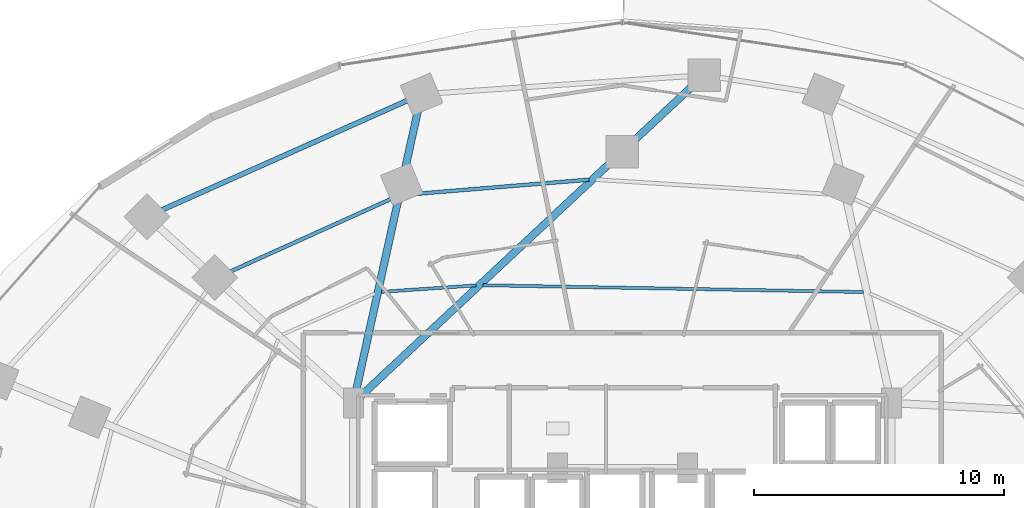
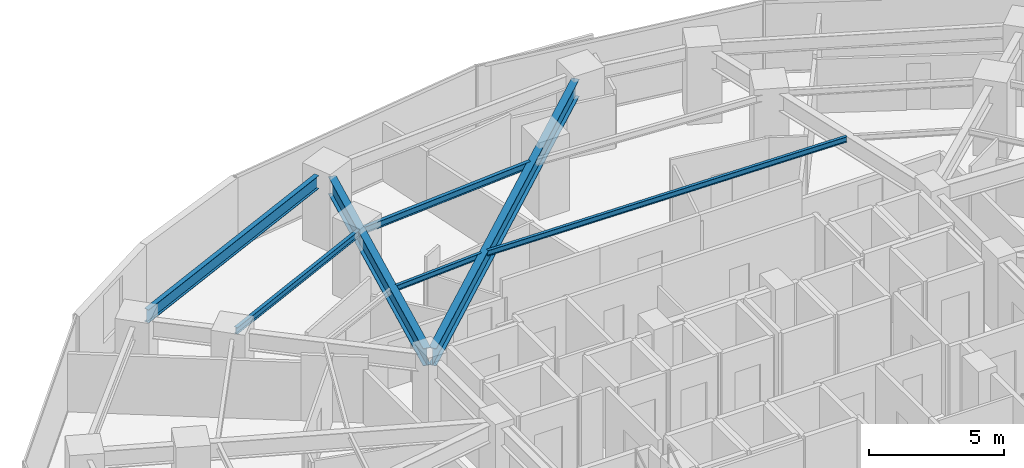
# One storey, part 20 of 33: 7 beams.
"""IFC4 building model written with IfcOpenShell, lengths in metres."""

from ifc_helpers import new_model, si_unit, direction, frame, origin, origin_2d, place, context, subcontext, project, spatial, i_section, extrude, material, material_profile, profile_set, type_object, element, save


model = new_model("IFC4")

# Units and contexts
model_context = context("Model", 3, precision=1e-05, world=origin(), true_north=direction((0.0, 1.0)))
body_context = subcontext(model_context, "Body", "Model", "MODEL_VIEW")
ifc_project = project(units=[si_unit("LENGTHUNIT", "METRE"), si_unit("AREAUNIT", "SQUARE_METRE"), si_unit("VOLUMEUNIT", "CUBIC_METRE"), si_unit("PLANEANGLEUNIT", "RADIAN"), si_unit("MASSUNIT", "GRAM", prefix="KILO")], contexts=[model_context])

# Site, building, storey
site_placement = place(None, origin())
site = spatial("IfcSite", under=ifc_project, at=site_placement, CompositionType="ELEMENT")
building_placement = place(site_placement, origin())
building = spatial("IfcBuilding", under=site, at=building_placement, Name="Vorneva Point Tower", CompositionType="ELEMENT")
storey_placement = place(building_placement, frame((0.0, 0.0, 38.0)))
storey = spatial("IfcBuildingStorey", under=building, at=storey_placement, Name="L09", CompositionType="ELEMENT", Elevation=38.0)

# Beams
ifc_material = material(Name="Steel S355", Category="steel")
ifc_material_profile_1 = material_profile(ifc_material, i_section(OverallWidth=0.300048828125, OverallDepth=0.7880859375, WebThickness=0.014404296875, FlangeThickness=0.02197265625, at=origin_2d()), Name="80Sh1")
ifc_profile_set_1 = profile_set([ifc_material_profile_1], Name="Steel S355")
beam_type_1 = type_object("IfcBeamType", Name="BM-GRD-80Sh1", PredefinedType="USERDEFINED", material=ifc_profile_set_1)
beam_1_placement = place(storey_placement, frame((40.799072265625, 45.81689453125, 2.845947265625), z_axis=(-0.730486513498, -0.682927121732, 0.0), x_axis=(0.682927121732, -0.730486513498, 0.0)))
element("IfcBeam", 1, at=beam_1_placement, inside=storey, type_object=beam_type_1, Name="L09 Radial Primary Girder 05", ObjectType="GIRDER", PredefinedType="USERDEFINED", context=body_context, shape_type="SweptSolid", body=[
    extrude(i_section(OverallWidth=0.300048828125, OverallDepth=0.7880859375, WebThickness=0.014404296875, FlangeThickness=0.02197265625, at=origin_2d()), origin(), (0.0, 0.0, 1.0), 18.2080078125),
])
beam_2_placement = place(storey_placement, frame((29.836181640625, 44.86865234375, 2.845947265625), z_axis=(-0.215504784711, -0.976502784311, 0.0), x_axis=(0.976502784311, -0.215504784711, 0.0)))
element("IfcBeam", 2, at=beam_2_placement, inside=storey, type_object=beam_type_1, Name="L09 Radial Primary Girder 06", ObjectType="GIRDER", PredefinedType="USERDEFINED", context=body_context, shape_type="SweptSolid", body=[
    extrude(i_section(OverallWidth=0.300048828125, OverallDepth=0.7880859375, WebThickness=0.014404296875, FlangeThickness=0.02197265625, at=origin_2d()), origin(), (0.0, 0.0, 1.0), 11.66064453125),
])
ifc_material_profile_2 = material_profile(ifc_material, i_section(OverallWidth=0.1240234375, OverallDepth=0.248046875, WebThickness=0.0048828125, FlangeThickness=0.008056640625, at=origin_2d()), Name="25B1")
ifc_profile_set_2 = profile_set([ifc_material_profile_2], Name="Steel S355")
beam_type_2 = type_object("IfcBeamType", Name="BM-JST-25B1", PredefinedType="JOIST", material=ifc_profile_set_2)
beam_3_placement = place(storey_placement, frame((47.634033203125, 37.58349609375, 3.115966796875), z_axis=(-0.9998392972, 0.017927068204, 0.0), x_axis=(-0.017927068204, -0.9998392972, 0.0)))
element("IfcBeam", 3, at=beam_3_placement, inside=storey, type_object=beam_type_2, Name="L09 Secondary Floor Beam 2.04", PredefinedType="JOIST", context=body_context, shape_type="SweptSolid", body=[
    extrude(i_section(OverallWidth=0.1240234375, OverallDepth=0.248046875, WebThickness=0.0048828125, FlangeThickness=0.008056640625, at=origin_2d()), origin(), (0.0, 0.0, 1.0), 15.2119140625),
])
beam_4_placement = place(storey_placement, frame((32.14892578125, 37.84912109375, 3.115966796875), z_axis=(-0.997672955363, -0.068181186095, 0.0), x_axis=(0.068181186095, -0.997672955363, 0.0)))
element("IfcBeam", 4, at=beam_4_placement, inside=storey, type_object=beam_type_2, Name="L09 Secondary Floor Beam 2.05", PredefinedType="JOIST", context=body_context, shape_type="SweptSolid", body=[
    extrude(i_section(OverallWidth=0.1240234375, OverallDepth=0.248046875, WebThickness=0.0048828125, FlangeThickness=0.008056640625, at=origin_2d()), origin(), (0.0, 0.0, 1.0), 3.7919921875),
])
ifc_material_profile_3 = material_profile(ifc_material, i_section(OverallWidth=0.14892578125, OverallDepth=0.298095703125, WebThickness=0.005615234375, FlangeThickness=0.008056640625, at=origin_2d()), Name="30B1")
ifc_profile_set_3 = profile_set([ifc_material_profile_3], Name="Steel S355")
beam_type_3 = type_object("IfcBeamType", Name="BM-JST-30B1", PredefinedType="JOIST", material=ifc_profile_set_3)
beam_5_placement = place(storey_placement, frame((36.67138671875, 42.0751953125, 3.091064453125), z_axis=(-0.996651460041, -0.081767152319, 0.0), x_axis=(0.081767152319, -0.996651460041, 0.0)))
element("IfcBeam", 5, at=beam_5_placement, inside=storey, type_object=beam_type_3, Name="L09 Secondary Floor Beam 1.05", PredefinedType="JOIST", context=body_context, shape_type="SweptSolid", body=[
    extrude(i_section(OverallWidth=0.14892578125, OverallDepth=0.298095703125, WebThickness=0.005615234375, FlangeThickness=0.008056640625, at=origin_2d()), origin(), (0.0, 0.0, 1.0), 7.4765625),
])
beam_6_placement = place(storey_placement, frame((28.95654296875, 41.395751953125, 3.091064453125), z_axis=(-0.911396391121, -0.411529607988, 0.0), x_axis=(0.411529607988, -0.911396391121, 0.0)))
element("IfcBeam", 6, at=beam_6_placement, inside=storey, type_object=beam_type_3, Name="L09 Secondary Floor Beam 1.06", PredefinedType="JOIST", context=body_context, shape_type="SweptSolid", body=[
    extrude(i_section(OverallWidth=0.14892578125, OverallDepth=0.298095703125, WebThickness=0.005615234375, FlangeThickness=0.008056640625, at=origin_2d()), origin(), (0.0, 0.0, 1.0), 7.7880859375),
])
ifc_material_profile_4 = material_profile(ifc_material, i_section(OverallWidth=0.198974609375, OverallDepth=0.595947265625, WebThickness=0.010009765625, FlangeThickness=0.014892578125, at=origin_2d()), Name="60B1")
ifc_profile_set_4 = profile_set([ifc_material_profile_4], Name="Steel S355")
beam_type_4 = type_object("IfcBeamType", Name="BM-SPN-60B1", PredefinedType="SPANDREL", material=ifc_profile_set_4)
beam_7_placement = place(storey_placement, frame((29.393798828125, 45.23291015625, 2.94189453125), z_axis=(-0.913329187558, -0.407222046499, 0.0), x_axis=(0.407222046499, -0.913329187558, 0.0)))
element("IfcBeam", 7, at=beam_7_placement, inside=storey, type_object=beam_type_4, Name="L09 Perimeter Spandrel Ring Beam 06", PredefinedType="SPANDREL", context=body_context, shape_type="SweptSolid", body=[
    extrude(i_section(OverallWidth=0.198974609375, OverallDepth=0.595947265625, WebThickness=0.010009765625, FlangeThickness=0.014892578125, at=origin_2d()), origin(), (0.0, 0.0, 1.0), 10.742431640625),
])

save(model, "model.ifc")
